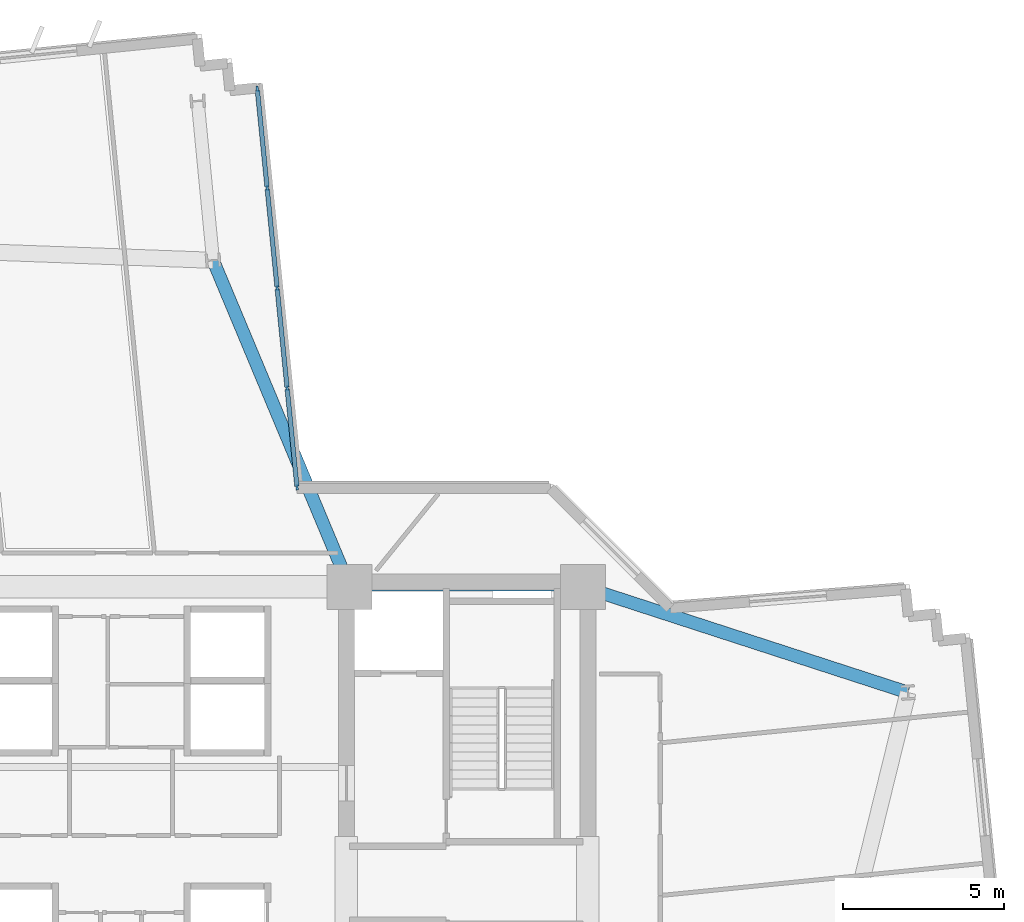
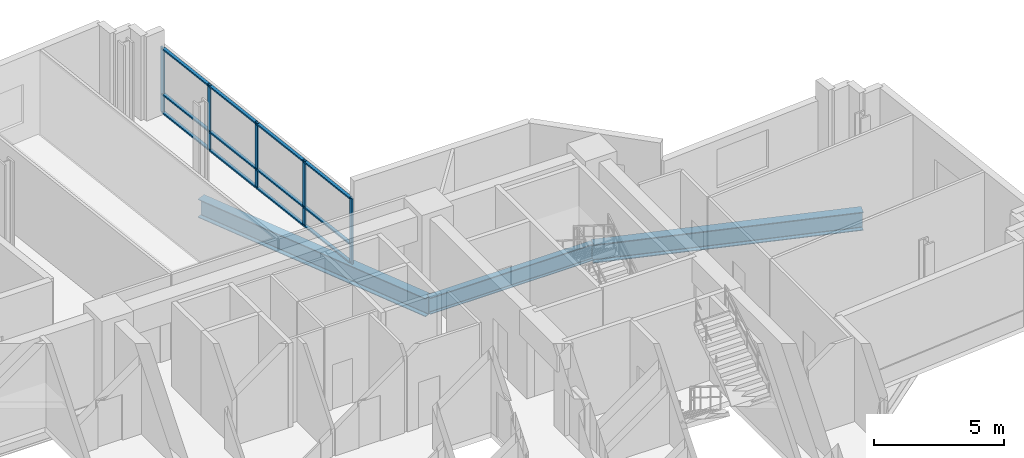
# One storey, part 4 of 14: 17 members, 3 beams, 1 element without a shape of its own.
"""IFC4 building model written with IfcOpenShell, lengths in metres."""

import ifcopenshell
import ifcopenshell.guid

model = None  # the IFC model being written
_history = None  # IfcOwnerHistory: only IFC2X3 demands one
_inside = {}  # id of a spatial element -> (the spatial element, [elements in it])
_under = {}  # id of a project, library or spatial element -> (it, [spatial elements below it])
_declared = {}  # id of a project -> (the project, [libraries it declares])
_typed = {}  # id of a type object -> (the type object, [elements of that type])
_made_of = {}  # id of a material, layer set ... -> (it, [elements and type objects made of it])


def new_model(schema):
    """Start an empty IFC model of exactly this schema.

    Asked for "IFC4X3", IfcOpenShell would pick the latest addendum, in which some entities
    have other attributes; the version numbers below select the first issue.
    IFC2X3 requires an IfcOwnerHistory on every rooted entity: one is made here for all.
    """
    global model, _history
    if schema == "IFC4X3":
        model = ifcopenshell.file(schema_version=(4, 3, 0, 0))
    else:
        model = ifcopenshell.file(schema=schema)
    _inside.clear()
    _under.clear()
    _declared.clear()
    _typed.clear()
    _made_of.clear()
    _history = None
    if model.schema == "IFC2X3":
        org = make("IfcOrganization", Name="unknown")
        user = make(
            "IfcPersonAndOrganization",
            ThePerson=make("IfcPerson", FamilyName="unknown"),
            TheOrganization=org,
        )
        app = make(
            "IfcApplication",
            ApplicationDeveloper=org,
            Version="unknown",
            ApplicationFullName="unknown",
            ApplicationIdentifier="unknown",
        )
        _history = make(
            "IfcOwnerHistory",
            OwningUser=user,
            OwningApplication=app,
            ChangeAction="ADDED",
            CreationDate=0,
        )
    return model


def make(cls, **values):
    """One entity of the class cls with the attributes given. An attribute that is None is left unset."""
    return model.create_entity(
        cls, **{name: value for name, value in values.items() if value is not None}
    )


def rooted(cls, **values):
    """An entity with a GlobalId (a new one), such as an element, a storey or a relation."""
    return make(cls, GlobalId=ifcopenshell.guid.new(), OwnerHistory=_history, **values)


def si_unit(unit_type, name, prefix=None):
    """IfcSIUnit, for example si_unit("LENGTHUNIT", "METRE", prefix="MILLI")."""
    return make("IfcSIUnit", UnitType=unit_type, Prefix=prefix, Name=name)


def assignment(units):
    """IfcUnitAssignment: the units of a project."""
    return None if units is None else make("IfcUnitAssignment", Units=units)


def point(xyz):
    """IfcCartesianPoint."""
    return None if xyz is None else make("IfcCartesianPoint", Coordinates=xyz)


def direction(xyz):
    """IfcDirection."""
    return None if xyz is None else make("IfcDirection", DirectionRatios=xyz)


def frame(location, z_axis=None, x_axis=None):
    """IfcAxis2Placement3D, a coordinate frame: its origin and axes. An axis left out is left unset."""
    return make(
        "IfcAxis2Placement3D",
        Location=point(location),
        Axis=direction(z_axis),
        RefDirection=direction(x_axis),
    )


def frame_2d(location, x_axis=None):
    """IfcAxis2Placement2D, a coordinate frame in the plane: its origin and x axis."""
    return make(
        "IfcAxis2Placement2D", Location=point(location), RefDirection=direction(x_axis)
    )


def origin():
    """The frame at (0, 0, 0) with its axes left unset."""
    return frame((0.0, 0.0, 0.0))


def origin_2d():
    """The frame at (0, 0) in the plane with its x axis left unset."""
    return frame_2d((0.0, 0.0))


def place(relative_to, where):
    """IfcLocalPlacement: puts the frame where relative to a parent placement (None: the world)."""
    return make(
        "IfcLocalPlacement", PlacementRelTo=relative_to, RelativePlacement=where
    )


def context(
    kind, dimensions, precision=None, world=None, true_north=None, identifier=None
):
    """IfcGeometricRepresentationContext, for example the 3D "Model" context."""
    return make(
        "IfcGeometricRepresentationContext",
        ContextIdentifier=identifier,
        ContextType=kind,
        CoordinateSpaceDimension=dimensions,
        Precision=precision,
        WorldCoordinateSystem=world,
        TrueNorth=true_north,
    )


def subcontext(parent, identifier, kind, view, scale=None):
    """IfcGeometricRepresentationSubContext, for example "Body" below "Model"."""
    return make(
        "IfcGeometricRepresentationSubContext",
        ContextIdentifier=identifier,
        ContextType=kind,
        ParentContext=parent,
        TargetScale=scale,
        TargetView=view,
    )


def project(units=None, contexts=None):
    """IfcProject with its units and contexts."""
    return rooted(
        "IfcProject",
        Name="project",
        RepresentationContexts=contexts,
        UnitsInContext=assignment(units),
    )


def spatial(cls, under=None, at=None, **own):
    """A site, building, storey or space (cls), placed at a placement, below another one or the project."""
    s = rooted(cls, ObjectPlacement=at, **own)
    if under is not None:
        _under.setdefault(under.id(), (under, []))[1].append(s)
    return s


def profile(cls, at=None, kind="AREA", **sizes):
    """A parametric profile (cls). Its sizes go by their IFC names, for example OverallWidth=200.0."""
    return make(cls, ProfileType=kind, Position=at, **sizes)


def rectangle(**sizes):
    """IfcRectangleProfileDef."""
    return profile("IfcRectangleProfileDef", **sizes)


def i_section(**sizes):
    """IfcIShapeProfileDef."""
    return profile("IfcIShapeProfileDef", **sizes)


def extrude(swept, where, along, depth):
    """IfcExtrudedAreaSolid: the profile swept, set in the frame where, extruded along a direction by depth."""
    return make(
        "IfcExtrudedAreaSolid",
        SweptArea=swept,
        Position=where,
        ExtrudedDirection=direction(along),
        Depth=depth,
    )


def shape(context_of_items, identifier, shape_type, items):
    """IfcShapeRepresentation: the items that make up one representation, for example the "Body"."""
    return make(
        "IfcShapeRepresentation",
        ContextOfItems=context_of_items,
        RepresentationIdentifier=identifier,
        RepresentationType=shape_type,
        Items=items,
    )


def source(mapping_origin, context_of_items, identifier, shape_type, items):
    """IfcRepresentationMap: a shape defined once, which mapped items show again and again."""
    return make(
        "IfcRepresentationMap",
        MappingOrigin=mapping_origin,
        MappedRepresentation=shape(context_of_items, identifier, shape_type, items),
    )


def transform(
    local_origin,
    x_axis=None,
    y_axis=None,
    z_axis=None,
    scale=None,
    scale2=None,
    scale3=None,
    uniform=True,
):
    """IfcCartesianTransformationOperator3D, or its non-uniform kind. x_axis, y_axis, z_axis: its Axis1, 2, 3."""
    if uniform:
        return make(
            "IfcCartesianTransformationOperator3D",
            Axis1=direction(x_axis),
            Axis2=direction(y_axis),
            LocalOrigin=point(local_origin),
            Scale=scale,
            Axis3=direction(z_axis),
        )
    return make(
        "IfcCartesianTransformationOperator3DnonUniform",
        Axis1=direction(x_axis),
        Axis2=direction(y_axis),
        LocalOrigin=point(local_origin),
        Scale=scale,
        Axis3=direction(z_axis),
        Scale2=scale2,
        Scale3=scale3,
    )


def mapped(mapping_source, mapping_target):
    """IfcMappedItem: shows the shape of a source again, moved by a transform."""
    return make(
        "IfcMappedItem", MappingSource=mapping_source, MappingTarget=mapping_target
    )


def material(Name=None, Category=None):
    """IfcMaterial."""
    return make("IfcMaterial", Name=Name, Category=Category)


def layer(
    of_material, thickness, ventilated=None, Name=None, Category=None, Priority=None
):
    """IfcMaterialLayer: one layer of a wall or slab, of a material (None: an air gap)."""
    return make(
        "IfcMaterialLayer",
        Material=of_material,
        LayerThickness=thickness,
        IsVentilated=ventilated,
        Name=Name,
        Category=Category,
        Priority=Priority,
    )


def layer_set(layers, Name=None):
    """IfcMaterialLayerSet."""
    return make("IfcMaterialLayerSet", MaterialLayers=layers, LayerSetName=Name)


def material_profile(
    of_material, cross_section, Name=None, Category=None, Priority=None
):
    """IfcMaterialProfile: a cross section and its material."""
    return make(
        "IfcMaterialProfile",
        Name=Name,
        Material=of_material,
        Profile=cross_section,
        Priority=Priority,
        Category=Category,
    )


def profile_set(profiles, Name=None, composite=None):
    """IfcMaterialProfileSet."""
    return make(
        "IfcMaterialProfileSet",
        Name=Name,
        MaterialProfiles=profiles,
        CompositeProfile=composite,
    )


def made_of(thing, what):
    """Note that an element or type object is made of a material, layer set ...; save() writes the relation."""
    if what is not None:
        _made_of.setdefault(what.id(), (what, []))[1].append(thing)
    return thing


def type_object(cls, material=None, **own):
    """A type object (cls), such as IfcWallType, which elements share."""
    return made_of(rooted(cls, **own), material)


def element(
    cls,
    number,
    at=None,
    inside=None,
    cuts=None,
    type_object=None,
    material=None,
    context=None,
    identifier="Body",
    shape_type=None,
    held_by="IfcProductDefinitionShape",
    body=None,
    shapes=None,
    **own,
):
    """One element of the class cls, such as IfcWall. Its Tag is "e" and its number.

    at: its placement. inside: the storey or other place that contains it. cuts: it is an
    opening in that element (IfcRelVoidsElement). A single representation is given by context,
    identifier, shape_type and body (its items); several are given by shapes. held_by: the class
    of the entity that holds the representations. save() writes the other relations.
    """
    e = rooted(cls, Tag="e%d" % number, ObjectPlacement=at, **own)
    if body is not None:
        shapes = [shape(context, identifier, shape_type, body)]
    if shapes is not None:
        e.Representation = make(held_by, Representations=shapes)
    if inside is not None:
        _inside.setdefault(inside.id(), (inside, []))[1].append(e)
    if cuts is not None:
        rooted(
            "IfcRelVoidsElement", RelatingBuildingElement=cuts, RelatedOpeningElement=e
        )
    if type_object is not None:
        _typed.setdefault(type_object.id(), (type_object, []))[1].append(e)
    return made_of(e, material)


def aggregate(whole, parts):
    """IfcRelAggregates: a whole, such as a stair, and the parts it consists of."""
    return rooted("IfcRelAggregates", RelatingObject=whole, RelatedObjects=parts)


def save(model, path):
    """Write the relations noted so far, then the file.

    IfcRelAggregates (storeys below a building ...), IfcRelContainedInSpatialStructure (elements
    in a storey), IfcRelDefinesByType, IfcRelAssociatesMaterial and IfcRelDeclares: one each for
    every whole, place, type object, material and project.
    """
    for whole, parts in _under.values():
        aggregate(whole, parts)
    for where, things in _inside.values():
        rooted(
            "IfcRelContainedInSpatialStructure",
            RelatedElements=things,
            RelatingStructure=where,
        )
    for kind, things in _typed.values():
        rooted("IfcRelDefinesByType", RelatedObjects=things, RelatingType=kind)
    for what, things in _made_of.values():
        rooted("IfcRelAssociatesMaterial", RelatedObjects=things, RelatingMaterial=what)
    for by, libraries in _declared.values():
        rooted("IfcRelDeclares", RelatingContext=by, RelatedDefinitions=libraries)
    model.write(path)


model = new_model("IFC4")

# Units and contexts
model_context = context("Model", 3, precision=1e-05, world=origin(), true_north=direction((0.0, 1.0)))
body_context = subcontext(model_context, "Body", "Model", "MODEL_VIEW")
ifc_project = project(units=[si_unit("LENGTHUNIT", "METRE"), si_unit("AREAUNIT", "SQUARE_METRE"), si_unit("VOLUMEUNIT", "CUBIC_METRE"), si_unit("PLANEANGLEUNIT", "RADIAN"), si_unit("MASSUNIT", "GRAM", prefix="KILO")], contexts=[model_context])

# Site, building, storey
site_placement = place(None, origin())
site = spatial("IfcSite", under=ifc_project, at=site_placement, CompositionType="ELEMENT")
building_placement = place(site_placement, origin())
building = spatial("IfcBuilding", under=site, at=building_placement, Name="Zahravan Cultural Tower", CompositionType="ELEMENT")
storey_placement = place(building_placement, frame((0.0, 0.0, 92.10009765625)))
storey = spatial("IfcBuildingStorey", under=building, at=storey_placement, Name="L20", CompositionType="ELEMENT", Elevation=92.10009765625)

# Beams
ifc_material_1 = material(Name="Steel ASTM A992 Grade 50", Category="steel")
ifc_material_profile_1 = material_profile(ifc_material_1, i_section(OverallWidth=0.26611328125, OverallDepth=0.780029296875, WebThickness=0.0166015625, FlangeThickness=0.030029296875, FilletRadius=0.01904296875, at=origin_2d()), Name="W30X148")
ifc_profile_set_1 = profile_set([ifc_material_profile_1], Name="Steel ASTM A992 Grade 50")
beam_type_1 = type_object("IfcBeamType", Name="BM-G-W30X148", PredefinedType="BEAM", material=ifc_profile_set_1)
shared_shape_1 = source(origin(), body_context, "Body", "SweptSolid", [
    extrude(i_section(OverallWidth=0.26611328125, OverallDepth=0.780029296875, WebThickness=0.0166015625, FlangeThickness=0.030029296875, FilletRadius=0.01904296875, at=origin_2d()), origin(), (0.0, 0.0, 1.0), 7.25),
])
beam_1_placement = place(storey_placement, frame((43.10009765625, 36.199951171875, -0.64013671875), z_axis=(1.0, 0.0, 0.0), x_axis=(0.0, 1.0, 0.0)))
element("IfcBeam", 1, at=beam_1_placement, inside=storey, type_object=beam_type_1, Name="L20 Beam BG-L20-05", PredefinedType="BEAM", context=body_context, shape_type="MappedRepresentation", body=[
    mapped(shared_shape_1, transform((0.0, 0.0, 0.0), x_axis=(1.0, 0.0, 0.0), y_axis=(0.0, 1.0, 0.0), z_axis=(0.0, 0.0, 1.0), scale=1.0)),
])
ifc_material_profile_2 = material_profile(ifc_material_1, i_section(OverallWidth=0.39990234375, OverallDepth=0.862060546875, WebThickness=0.019775390625, FlangeThickness=0.032470703125, FilletRadius=0.02001953125, at=origin_2d()), Name="W33X221")
ifc_profile_set_2 = profile_set([ifc_material_profile_2], Name="Steel ASTM A992 Grade 50")
beam_type_2 = type_object("IfcBeamType", Name="BM-G-W33X221", PredefinedType="BEAM", material=ifc_profile_set_2)
shared_shape_2 = source(origin(), body_context, "Body", "SweptSolid", [
    extrude(i_section(OverallWidth=0.39990234375, OverallDepth=0.862060546875, WebThickness=0.019775390625, FlangeThickness=0.032470703125, FilletRadius=0.02001953125, at=origin_2d()), origin(), (0.0, 0.0, 1.0), 10.615966796875),
])
beam_2_placement = place(storey_placement, frame((50.35009765625, 36.199951171875, -0.68115234375), z_axis=(0.951063640083, -0.30899506875, 0.0), x_axis=(0.30899506875, 0.951063640083, 0.0)))
element("IfcBeam", 2, at=beam_2_placement, inside=storey, type_object=beam_type_2, Name="L20 Beam BG-L20-11", PredefinedType="BEAM", context=body_context, shape_type="MappedRepresentation", body=[
    mapped(shared_shape_2, transform((0.0, 0.0, 0.0), x_axis=(1.0, 0.0, 0.0), y_axis=(0.0, 1.0, 0.0), z_axis=(0.0, 0.0, 1.0), scale=1.0)),
])
shared_shape_3 = source(origin(), body_context, "Body", "SweptSolid", [
    extrude(i_section(OverallWidth=0.39990234375, OverallDepth=0.862060546875, WebThickness=0.019775390625, FlangeThickness=0.032470703125, FilletRadius=0.02001953125, at=origin_2d()), origin(), (0.0, 0.0, 1.0), 10.997802734375),
])
beam_3_placement = place(storey_placement, frame((43.10009765625, 36.199951171875, -0.68115234375), z_axis=(-0.385775211449, 0.922592806297, 0.0), x_axis=(-0.922592806297, -0.385775211449, 0.0)))
element("IfcBeam", 3, at=beam_3_placement, inside=storey, type_object=beam_type_2, Name="L20 Beam BG-L20-12", PredefinedType="BEAM", context=body_context, shape_type="MappedRepresentation", body=[
    mapped(shared_shape_3, transform((0.0, 0.0, 0.0), x_axis=(1.0, 0.0, 0.0), y_axis=(0.0, 1.0, 0.0), z_axis=(0.0, 0.0, 1.0), scale=1.0)),
])

# Curtain wall, members
ifc_material_2 = material(Name="Anodised bronze-aluminium mullion", Category="aluminium")
ifc_layer = layer(ifc_material_2, 0.179931640625)
ifc_layer_set = layer_set([ifc_layer], Name="Anodised bronze-aluminium mullion")
curtain_wall_type = type_object("IfcCurtainWallType", Name="CW-SYS-3", PredefinedType="USERDEFINED", material=ifc_layer_set)
curtain_wall_placement = place(storey_placement, origin())
curtain_wall = element("IfcCurtainWall", 4, at=curtain_wall_placement, inside=storey, type_object=curtain_wall_type, Name="L20 Recessed Curtain Wall CW-3.1", ObjectType="RECESSED GLAZING", PredefinedType="USERDEFINED")
ifc_material_profile_3 = material_profile(ifc_material_2, rectangle(XDim=0.070068359375, YDim=0.179931640625, at=origin_2d()), Name="AL-M70X180")
ifc_profile_set_3 = profile_set([ifc_material_profile_3], Name="Anodised bronze-aluminium mullion")
member_type_1 = type_object("IfcMemberType", Name="CWM-CW-3", PredefinedType="MULLION", material=ifc_profile_set_3)
shared_shape_4 = source(origin(), body_context, "Body", "SweptSolid", [
    extrude(rectangle(XDim=0.070068359375, YDim=0.179931640625, at=origin_2d()), origin(), (0.0, 0.0, 1.0), 3.06982421875),
])
member_1_placement = place(storey_placement, frame((40.23095703125, 51.667236328125, 0.0), z_axis=(0.0, 0.0, 1.0), x_axis=(0.99505538579, 0.099321594883, 0.0)))
member_1 = element("IfcMember", 5, at=member_1_placement, type_object=member_type_1, Name="CW-3 mullion 1", PredefinedType="MULLION", context=body_context, shape_type="MappedRepresentation", body=[
    mapped(shared_shape_4, transform((0.0, 0.0, 0.0), x_axis=(1.0, 0.0, 0.0), y_axis=(0.0, 1.0, 0.0), z_axis=(0.0, 0.0, 1.0), scale=1.0)),
])
member_2_placement = place(storey_placement, frame((40.5380859375, 48.591552734375, 0.0), z_axis=(0.0, 0.0, 1.0), x_axis=(0.99505538579, 0.099321594883, 0.0)))
member_2 = element("IfcMember", 6, at=member_2_placement, type_object=member_type_1, Name="CW-3 mullion 2", PredefinedType="MULLION", context=body_context, shape_type="MappedRepresentation", body=[
    mapped(shared_shape_4, transform((0.0, 0.0, 0.0), x_axis=(1.0, 0.0, 0.0), y_axis=(0.0, 1.0, 0.0), z_axis=(0.0, 0.0, 1.0), scale=1.0)),
])
member_3_placement = place(storey_placement, frame((40.848388671875, 45.48095703125, 0.0), z_axis=(0.0, 0.0, 1.0), x_axis=(0.99505538579, 0.099321594883, 0.0)))
member_3 = element("IfcMember", 7, at=member_3_placement, type_object=member_type_1, Name="CW-3 mullion 3", PredefinedType="MULLION", context=body_context, shape_type="MappedRepresentation", body=[
    mapped(shared_shape_4, transform((0.0, 0.0, 0.0), x_axis=(1.0, 0.0, 0.0), y_axis=(0.0, 1.0, 0.0), z_axis=(0.0, 0.0, 1.0), scale=1.0)),
])
member_4_placement = place(storey_placement, frame((41.158935546875, 42.37060546875, 0.0), z_axis=(0.0, 0.0, 1.0), x_axis=(0.99505538579, 0.099321594883, 0.0)))
member_4 = element("IfcMember", 8, at=member_4_placement, type_object=member_type_1, Name="CW-3 mullion 4", PredefinedType="MULLION", context=body_context, shape_type="MappedRepresentation", body=[
    mapped(shared_shape_4, transform((0.0, 0.0, 0.0), x_axis=(1.0, 0.0, 0.0), y_axis=(0.0, 1.0, 0.0), z_axis=(0.0, 0.0, 1.0), scale=1.0)),
])
member_5_placement = place(storey_placement, frame((41.4658203125, 39.294921875, 0.0), z_axis=(0.0, 0.0, 1.0), x_axis=(0.99505538579, 0.099321594883, 0.0)))
member_5 = element("IfcMember", 9, at=member_5_placement, type_object=member_type_1, Name="CW-3 mullion 5", PredefinedType="MULLION", context=body_context, shape_type="MappedRepresentation", body=[
    mapped(shared_shape_4, transform((0.0, 0.0, 0.0), x_axis=(1.0, 0.0, 0.0), y_axis=(0.0, 1.0, 0.0), z_axis=(0.0, 0.0, 1.0), scale=1.0)),
])
ifc_material_profile_4 = material_profile(ifc_material_2, rectangle(XDim=0.139892578125, YDim=0.070068359375, at=origin_2d()), Name="AL-T70X140")
ifc_profile_set_4 = profile_set([ifc_material_profile_4], Name="Anodised bronze-aluminium mullion")
member_type_2 = type_object("IfcMemberType", Name="CWT-CW-3", PredefinedType="USERDEFINED", material=ifc_profile_set_4)
shared_shape_5 = source(origin(), body_context, "Body", "SweptSolid", [
    extrude(rectangle(XDim=0.139892578125, YDim=0.070068359375, at=origin_2d()), origin(), (0.0, 0.0, 1.0), 3.02099609375),
])
member_6_placement = place(storey_placement, frame((40.234375, 51.63232421875, 0.034912109375), z_axis=(0.099319686771, -0.995055576247, 0.0), x_axis=(0.995055576247, 0.099319686771, 0.0)))
member_6 = element("IfcMember", 10, at=member_6_placement, type_object=member_type_2, Name="CW-3 transom 1.1", ObjectType="TRANSOM", PredefinedType="USERDEFINED", context=body_context, shape_type="MappedRepresentation", body=[
    mapped(shared_shape_5, transform((0.0, 0.0, 0.0), x_axis=(1.0, 0.0, 0.0), y_axis=(0.0, 1.0, 0.0), z_axis=(0.0, 0.0, 1.0), scale=1.0)),
])
member_7_placement = place(storey_placement, frame((40.234375, 51.63232421875, 0.89990234375), z_axis=(0.099319686771, -0.995055576247, 0.0), x_axis=(0.995055576247, 0.099319686771, 0.0)))
member_7 = element("IfcMember", 11, at=member_7_placement, type_object=member_type_2, Name="CW-3 transom 1.2", ObjectType="TRANSOM", PredefinedType="USERDEFINED", context=body_context, shape_type="MappedRepresentation", body=[
    mapped(shared_shape_5, transform((0.0, 0.0, 0.0), x_axis=(1.0, 0.0, 0.0), y_axis=(0.0, 1.0, 0.0), z_axis=(0.0, 0.0, 1.0), scale=1.0)),
])
member_8_placement = place(storey_placement, frame((40.234375, 51.63232421875, 3.034912109375), z_axis=(0.099319686771, -0.995055576247, 0.0), x_axis=(0.995055576247, 0.099319686771, 0.0)))
member_8 = element("IfcMember", 12, at=member_8_placement, type_object=member_type_2, Name="CW-3 transom 1.3", ObjectType="TRANSOM", PredefinedType="USERDEFINED", context=body_context, shape_type="MappedRepresentation", body=[
    mapped(shared_shape_5, transform((0.0, 0.0, 0.0), x_axis=(1.0, 0.0, 0.0), y_axis=(0.0, 1.0, 0.0), z_axis=(0.0, 0.0, 1.0), scale=1.0)),
])
member_9_placement = place(storey_placement, frame((41.162353515625, 42.335693359375, 0.034912109375), z_axis=(0.099319686771, -0.995055576247, 0.0), x_axis=(0.995055576247, 0.099319686771, 0.0)))
member_9 = element("IfcMember", 13, at=member_9_placement, type_object=member_type_2, Name="CW-3 transom 4.1", ObjectType="TRANSOM", PredefinedType="USERDEFINED", context=body_context, shape_type="MappedRepresentation", body=[
    mapped(shared_shape_5, transform((0.0, 0.0, 0.0), x_axis=(1.0, 0.0, 0.0), y_axis=(0.0, 1.0, 0.0), z_axis=(0.0, 0.0, 1.0), scale=1.0)),
])
member_10_placement = place(storey_placement, frame((41.162353515625, 42.335693359375, 0.89990234375), z_axis=(0.099319686771, -0.995055576247, 0.0), x_axis=(0.995055576247, 0.099319686771, 0.0)))
member_10 = element("IfcMember", 14, at=member_10_placement, type_object=member_type_2, Name="CW-3 transom 4.2", ObjectType="TRANSOM", PredefinedType="USERDEFINED", context=body_context, shape_type="MappedRepresentation", body=[
    mapped(shared_shape_5, transform((0.0, 0.0, 0.0), x_axis=(1.0, 0.0, 0.0), y_axis=(0.0, 1.0, 0.0), z_axis=(0.0, 0.0, 1.0), scale=1.0)),
])
member_11_placement = place(storey_placement, frame((41.162353515625, 42.335693359375, 3.034912109375), z_axis=(0.099319686771, -0.995055576247, 0.0), x_axis=(0.995055576247, 0.099319686771, 0.0)))
member_11 = element("IfcMember", 15, at=member_11_placement, type_object=member_type_2, Name="CW-3 transom 4.3", ObjectType="TRANSOM", PredefinedType="USERDEFINED", context=body_context, shape_type="MappedRepresentation", body=[
    mapped(shared_shape_5, transform((0.0, 0.0, 0.0), x_axis=(1.0, 0.0, 0.0), y_axis=(0.0, 1.0, 0.0), z_axis=(0.0, 0.0, 1.0), scale=1.0)),
])
shared_shape_6 = source(origin(), body_context, "Body", "SweptSolid", [
    extrude(rectangle(XDim=0.139892578125, YDim=0.070068359375, at=origin_2d()), origin(), (0.0, 0.0, 1.0), 3.055908203125),
])
member_12_placement = place(storey_placement, frame((40.54150390625, 48.556640625, 0.034912109375), z_axis=(0.099305964166, -0.995056945848, 0.0), x_axis=(0.995056945848, 0.099305964166, 0.0)))
member_12 = element("IfcMember", 16, at=member_12_placement, type_object=member_type_2, Name="CW-3 transom 2.1", ObjectType="TRANSOM", PredefinedType="USERDEFINED", context=body_context, shape_type="MappedRepresentation", body=[
    mapped(shared_shape_6, transform((0.0, 0.0, 0.0), x_axis=(1.0, 0.0, 0.0), y_axis=(0.0, 1.0, 0.0), z_axis=(0.0, 0.0, 1.0), scale=1.0)),
])
member_13_placement = place(storey_placement, frame((40.54150390625, 48.556640625, 0.89990234375), z_axis=(0.099305964166, -0.995056945848, 0.0), x_axis=(0.995056945848, 0.099305964166, 0.0)))
member_13 = element("IfcMember", 17, at=member_13_placement, type_object=member_type_2, Name="CW-3 transom 2.2", ObjectType="TRANSOM", PredefinedType="USERDEFINED", context=body_context, shape_type="MappedRepresentation", body=[
    mapped(shared_shape_6, transform((0.0, 0.0, 0.0), x_axis=(1.0, 0.0, 0.0), y_axis=(0.0, 1.0, 0.0), z_axis=(0.0, 0.0, 1.0), scale=1.0)),
])
member_14_placement = place(storey_placement, frame((40.54150390625, 48.556640625, 3.034912109375), z_axis=(0.099305964166, -0.995056945848, 0.0), x_axis=(0.995056945848, 0.099305964166, 0.0)))
member_14 = element("IfcMember", 18, at=member_14_placement, type_object=member_type_2, Name="CW-3 transom 2.3", ObjectType="TRANSOM", PredefinedType="USERDEFINED", context=body_context, shape_type="MappedRepresentation", body=[
    mapped(shared_shape_6, transform((0.0, 0.0, 0.0), x_axis=(1.0, 0.0, 0.0), y_axis=(0.0, 1.0, 0.0), z_axis=(0.0, 0.0, 1.0), scale=1.0)),
])
shared_shape_7 = source(origin(), body_context, "Body", "SweptSolid", [
    extrude(rectangle(XDim=0.139892578125, YDim=0.070068359375, at=origin_2d()), origin(), (0.0, 0.0, 1.0), 3.05615234375),
])
member_15_placement = place(storey_placement, frame((40.851806640625, 45.4462890625, 0.034912109375), z_axis=(0.099377167432, -0.995049837241, 0.0), x_axis=(0.995049837241, 0.099377167432, 0.0)))
member_15 = element("IfcMember", 19, at=member_15_placement, type_object=member_type_2, Name="CW-3 transom 3.1", ObjectType="TRANSOM", PredefinedType="USERDEFINED", context=body_context, shape_type="MappedRepresentation", body=[
    mapped(shared_shape_7, transform((0.0, 0.0, 0.0), x_axis=(1.0, 0.0, 0.0), y_axis=(0.0, 1.0, 0.0), z_axis=(0.0, 0.0, 1.0), scale=1.0)),
])
member_16_placement = place(storey_placement, frame((40.851806640625, 45.4462890625, 0.89990234375), z_axis=(0.099377167432, -0.995049837241, 0.0), x_axis=(0.995049837241, 0.099377167432, 0.0)))
member_16 = element("IfcMember", 20, at=member_16_placement, type_object=member_type_2, Name="CW-3 transom 3.2", ObjectType="TRANSOM", PredefinedType="USERDEFINED", context=body_context, shape_type="MappedRepresentation", body=[
    mapped(shared_shape_7, transform((0.0, 0.0, 0.0), x_axis=(1.0, 0.0, 0.0), y_axis=(0.0, 1.0, 0.0), z_axis=(0.0, 0.0, 1.0), scale=1.0)),
])
member_17_placement = place(storey_placement, frame((40.851806640625, 45.4462890625, 3.034912109375), z_axis=(0.099377167432, -0.995049837241, 0.0), x_axis=(0.995049837241, 0.099377167432, 0.0)))
member_17 = element("IfcMember", 21, at=member_17_placement, type_object=member_type_2, Name="CW-3 transom 3.3", ObjectType="TRANSOM", PredefinedType="USERDEFINED", context=body_context, shape_type="MappedRepresentation", body=[
    mapped(shared_shape_7, transform((0.0, 0.0, 0.0), x_axis=(1.0, 0.0, 0.0), y_axis=(0.0, 1.0, 0.0), z_axis=(0.0, 0.0, 1.0), scale=1.0)),
])
aggregate(curtain_wall, [member_1, member_2, member_3, member_4, member_5, member_6, member_7, member_8, member_12, member_13, member_14, member_15, member_16, member_17, member_9, member_10, member_11])

save(model, "model.ifc")
